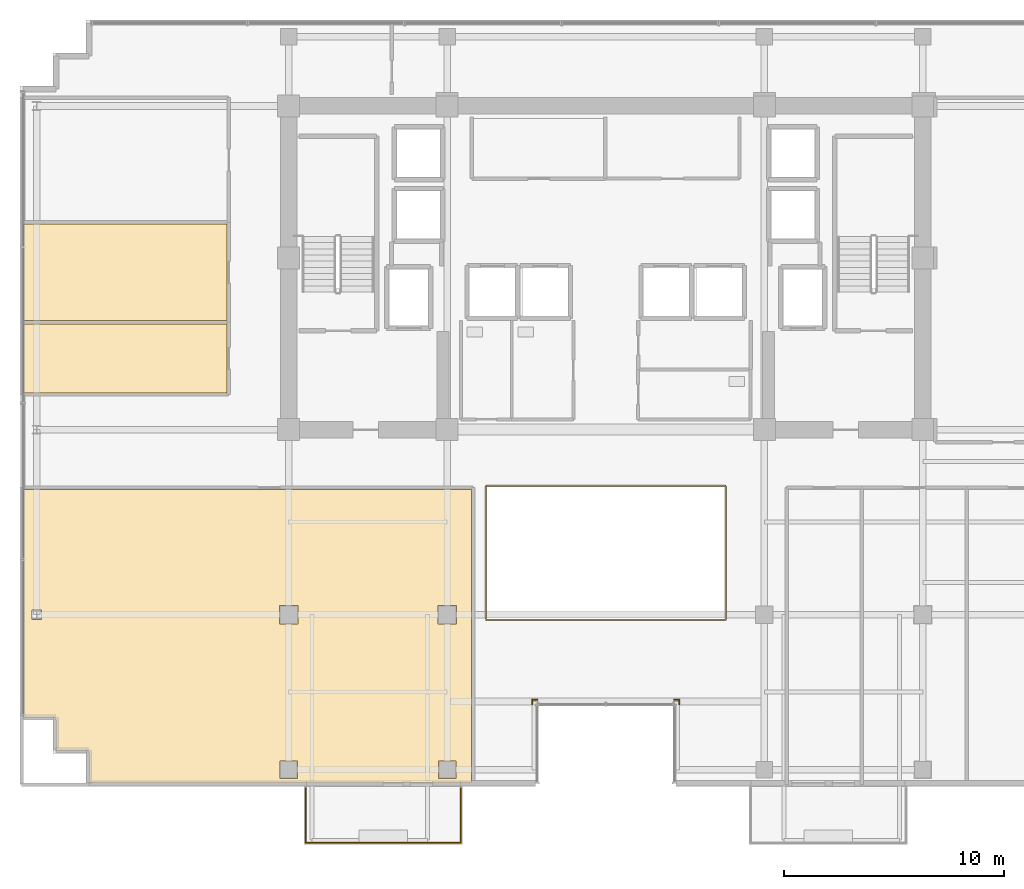
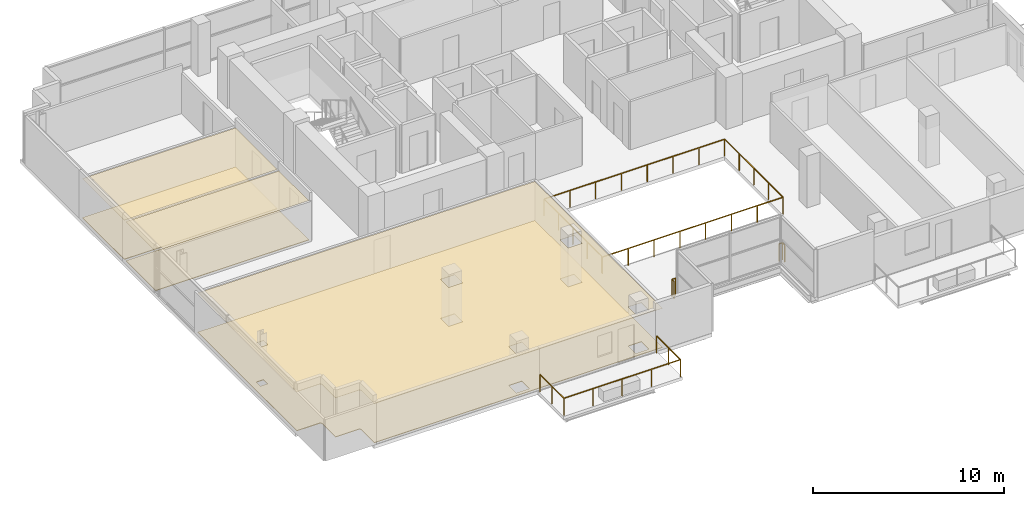
# One storey, part 22 of 25: 6 coverings, 6 railings.
"""IFC4 building model written with IfcOpenShell, lengths in metres."""

from ifc_helpers import new_model, si_unit, direction, frame, origin, origin_2d, place, context, subcontext, project, spatial, polyline, rectangle, outline, extrude, material, layer, layer_set, type_object, element, save


model = new_model("IFC4")

# Units and contexts
model_context = context("Model", 3, precision=1e-05, world=origin(), true_north=direction((0.0, 1.0)))
body_context = subcontext(model_context, "Body", "Model", "MODEL_VIEW")
ifc_project = project(units=[si_unit("LENGTHUNIT", "METRE"), si_unit("AREAUNIT", "SQUARE_METRE"), si_unit("VOLUMEUNIT", "CUBIC_METRE"), si_unit("PLANEANGLEUNIT", "RADIAN"), si_unit("MASSUNIT", "GRAM", prefix="KILO")], contexts=[model_context])

# Site, building, storey
site_placement = place(None, origin())
site = spatial("IfcSite", under=ifc_project, at=site_placement, CompositionType="ELEMENT")
building_placement = place(site_placement, origin())
building = spatial("IfcBuilding", under=site, at=building_placement, Name="Zarnakvel Exchange Tower", CompositionType="ELEMENT")
storey_placement = place(building_placement, frame((0.0, 0.0, 156.10009765625)))
storey = spatial("IfcBuildingStorey", under=building, at=storey_placement, Name="L43", CompositionType="ELEMENT", Elevation=156.10009765625)

# Coverings
ifc_material_1 = material(Name="Perforated Bronze Acoustic Metal Ceiling", Category="aluminium")
ifc_layer_1 = layer(ifc_material_1, 0.02001953125)
ifc_layer_set_1 = layer_set([ifc_layer_1], Name="Perforated Bronze Acoustic Metal Ceiling")
covering_type_1 = type_object("IfcCoveringType", Name="CLG-01", PredefinedType="CEILING", material=ifc_layer_set_1)
covering_1_placement = place(storey_placement, frame((0.0, 0.0, 2.5048828125)))
element("IfcCovering", 1, at=covering_1_placement, inside=storey, type_object=covering_type_1, Name="L43 Suspended Acoustic Ceiling (Institutional Dealing Room)", PredefinedType="CEILING", context=body_context, shape_type="SweptSolid", body=[
    extrude(outline(polyline([(-6.10009765625, -3.909912109375), (-6.10009765625, -17.25), (-23.47998046875, -17.25), (-23.47998046875, -15.89990234375), (-23.48046875, -15.88818359375), (-23.482421875, -15.876708984375), (-23.485107421875, -15.865234375), (-23.489013671875, -15.85400390625), (-23.494140625, -15.843505859375), (-23.500244140625, -15.833251953125), (-23.50732421875, -15.823974609375), (-23.51513671875, -15.815185546875), (-23.52392578125, -15.80712890625), (-23.533447265625, -15.80029296875), (-23.54345703125, -15.794189453125), (-23.55419921875, -15.7890625), (-23.565185546875, -15.78515625), (-23.57666015625, -15.7822265625), (-23.588134765625, -15.780517578125), (-23.60009765625, -15.780029296875), (-24.97998046875, -15.780029296875), (-24.97998046875, -14.39990234375), (-24.98046875, -14.38818359375), (-24.982421875, -14.376708984375), (-24.985107421875, -14.365234375), (-24.989013671875, -14.35400390625), (-24.994140625, -14.343505859375), (-25.000244140625, -14.333251953125), (-25.00732421875, -14.323974609375), (-25.01513671875, -14.315185546875), (-25.02392578125, -14.30712890625), (-25.033447265625, -14.30029296875), (-25.04345703125, -14.294189453125), (-25.05419921875, -14.2890625), (-25.065185546875, -14.28515625), (-25.07666015625, -14.2822265625), (-25.088134765625, -14.280517578125), (-25.10009765625, -14.280029296875), (-26.449951171875, -14.280029296875), (-26.449951171875, -3.909912109375), (-6.10009765625, -3.909912109375)]), holes=[polyline([(-6.780029296875, -10.02001953125), (-6.780029296875, -9.179931640625), (-7.6201171875, -9.179931640625), (-7.6201171875, -10.02001953125), (-6.780029296875, -10.02001953125)]), polyline([(-6.804931640625, -17.044921875), (-6.804931640625, -16.2548828125), (-7.594970703125, -16.2548828125), (-7.594970703125, -17.044921875), (-6.804931640625, -17.044921875)]), polyline([(-13.97998046875, -10.02001953125), (-13.97998046875, -9.179931640625), (-14.820068359375, -9.179931640625), (-14.820068359375, -10.02001953125), (-13.97998046875, -10.02001953125)]), polyline([(-14.0048828125, -16.2548828125), (-14.794921875, -16.2548828125), (-14.794921875, -17.044921875), (-14.0048828125, -17.044921875), (-14.0048828125, -16.2548828125)]), polyline([(-25.630615234375, -9.81689453125), (-25.630615234375, -9.38330078125), (-26.069580078125, -9.38330078125), (-26.069580078125, -9.81689453125), (-25.630615234375, -9.81689453125)])]), origin(), (0.0, 0.0, 1.0), 0.02001953125),
])
covering_2_placement = place(storey_placement, frame((0.0, 0.0, 2.5048828125)))
element("IfcCovering", 2, at=covering_2_placement, inside=storey, type_object=covering_type_1, Name="L43 Suspended Acoustic Ceiling (Breakout Pantry)", PredefinedType="CEILING", context=body_context, shape_type="SweptSolid", body=[
    extrude(outline(polyline([(-26.449951171875, 3.598388671875), (-17.2099609375, 3.598388671875), (-17.2099609375, 0.47119140625), (-26.449951171875, 0.47119140625), (-26.449951171875, 3.598388671875)])), origin(), (0.0, 0.0, 1.0), 0.02001953125),
])
covering_3_placement = place(storey_placement, frame((0.0, 0.0, 2.5048828125)))
element("IfcCovering", 3, at=covering_3_placement, inside=storey, type_object=covering_type_1, Name="L43 Suspended Acoustic Ceiling (Settlement Office)", PredefinedType="CEILING", context=body_context, shape_type="SweptSolid", body=[
    extrude(outline(polyline([(-26.449951171875, 8.13623046875), (-17.2099609375, 8.13623046875), (-17.2099609375, 3.75830078125), (-26.449951171875, 3.75830078125), (-26.449951171875, 8.13623046875)])), origin(), (0.0, 0.0, 1.0), 0.02001953125),
])
ifc_material_2 = material(Name="Heavy-Duty Raised Access Floor Panel", Category="steel")
ifc_layer_2 = layer(ifc_material_2, 0.034912109375)
ifc_layer_set_2 = layer_set([ifc_layer_2], Name="Heavy-Duty Raised Access Floor Panel")
covering_type_2 = type_object("IfcCoveringType", Name="FLR-02", PredefinedType="FLOORING", material=ifc_layer_set_2)
covering_4_placement = place(storey_placement, origin())
element("IfcCovering", 4, at=covering_4_placement, inside=storey, type_object=covering_type_2, Name="L43 Floor Finish (Institutional Dealing Room)", PredefinedType="FLOORING", context=body_context, shape_type="SweptSolid", body=[
    extrude(outline(polyline([(-6.10009765625, -3.909912109375), (-6.10009765625, -17.25), (-23.47998046875, -17.25), (-23.47998046875, -15.89990234375), (-23.48046875, -15.88818359375), (-23.482421875, -15.876708984375), (-23.485107421875, -15.865234375), (-23.489013671875, -15.85400390625), (-23.494140625, -15.843505859375), (-23.500244140625, -15.833251953125), (-23.50732421875, -15.823974609375), (-23.51513671875, -15.815185546875), (-23.52392578125, -15.80712890625), (-23.533447265625, -15.80029296875), (-23.54345703125, -15.794189453125), (-23.55419921875, -15.7890625), (-23.565185546875, -15.78515625), (-23.57666015625, -15.7822265625), (-23.588134765625, -15.780517578125), (-23.60009765625, -15.780029296875), (-24.97998046875, -15.780029296875), (-24.97998046875, -14.39990234375), (-24.98046875, -14.38818359375), (-24.982421875, -14.376708984375), (-24.985107421875, -14.365234375), (-24.989013671875, -14.35400390625), (-24.994140625, -14.343505859375), (-25.000244140625, -14.333251953125), (-25.00732421875, -14.323974609375), (-25.01513671875, -14.315185546875), (-25.02392578125, -14.30712890625), (-25.033447265625, -14.30029296875), (-25.04345703125, -14.294189453125), (-25.05419921875, -14.2890625), (-25.065185546875, -14.28515625), (-25.07666015625, -14.2822265625), (-25.088134765625, -14.280517578125), (-25.10009765625, -14.280029296875), (-26.449951171875, -14.280029296875), (-26.449951171875, -3.909912109375), (-6.10009765625, -3.909912109375)]), holes=[polyline([(-6.780029296875, -10.02001953125), (-6.780029296875, -9.179931640625), (-7.6201171875, -9.179931640625), (-7.6201171875, -10.02001953125), (-6.780029296875, -10.02001953125)]), polyline([(-6.804931640625, -17.044921875), (-6.804931640625, -16.2548828125), (-7.594970703125, -16.2548828125), (-7.594970703125, -17.044921875), (-6.804931640625, -17.044921875)]), polyline([(-13.97998046875, -10.02001953125), (-13.97998046875, -9.179931640625), (-14.820068359375, -9.179931640625), (-14.820068359375, -10.02001953125), (-13.97998046875, -10.02001953125)]), polyline([(-14.0048828125, -16.2548828125), (-14.794921875, -16.2548828125), (-14.794921875, -17.044921875), (-14.0048828125, -17.044921875), (-14.0048828125, -16.2548828125)]), polyline([(-25.630615234375, -9.81689453125), (-25.630615234375, -9.38330078125), (-26.069580078125, -9.38330078125), (-26.069580078125, -9.81689453125), (-25.630615234375, -9.81689453125)])]), origin(), (0.0, 0.0, 1.0), 0.034912109375),
])
covering_5_placement = place(storey_placement, origin())
element("IfcCovering", 5, at=covering_5_placement, inside=storey, type_object=covering_type_2, Name="L43 Floor Finish (Breakout Pantry)", PredefinedType="FLOORING", context=body_context, shape_type="SweptSolid", body=[
    extrude(outline(polyline([(-26.449951171875, 3.598388671875), (-17.2099609375, 3.598388671875), (-17.2099609375, 0.47119140625), (-26.449951171875, 0.47119140625), (-26.449951171875, 3.598388671875)])), origin(), (0.0, 0.0, 1.0), 0.034912109375),
])
covering_6_placement = place(storey_placement, origin())
element("IfcCovering", 6, at=covering_6_placement, inside=storey, type_object=covering_type_2, Name="L43 Floor Finish (Settlement Office)", PredefinedType="FLOORING", context=body_context, shape_type="SweptSolid", body=[
    extrude(outline(polyline([(-26.449951171875, 8.13623046875), (-17.2099609375, 8.13623046875), (-17.2099609375, 3.75830078125), (-26.449951171875, 3.75830078125), (-26.449951171875, 8.13623046875)])), origin(), (0.0, 0.0, 1.0), 0.034912109375),
])

# Railings
ifc_material_3 = material(Name="Architectural Bronze Anodised Aluminium", Category="aluminium")
railing_type_1 = type_object("IfcRailingType", Name="GR-02", PredefinedType="GUARDRAIL", material=ifc_material_3)
railing_1_placement = place(storey_placement, frame((-13.6201171875, -17.47998046875, -0.03515625)))
element("IfcRailing", 7, at=railing_1_placement, inside=storey, type_object=railing_type_1, Name="L43 Balcony Guardrail BAL-L43-SW", PredefinedType="GUARDRAIL", context=body_context, shape_type="SweptSolid", body=[
    extrude(rectangle(XDim=0.048095703125, YDim=0.048095703125, at=origin_2d()), frame((0.0, 0.0, 1.09619140625), z_axis=(0.0, -1.0, 0.0), x_axis=(1.0, 0.0, 0.0)), (0.0, 0.0, 1.0), 2.489990234375),
    extrude(rectangle(XDim=0.048095703125, YDim=0.048095703125, at=origin_2d()), frame((0.0, -2.489990234375, 1.09619140625), z_axis=(1.0, 0.0, 0.0), x_axis=(0.0, 1.0, 0.0)), (0.0, 0.0, 1.0), 7.0400390625),
    extrude(rectangle(XDim=0.048095703125, YDim=0.048095703125, at=origin_2d()), frame((7.0400390625, -2.489990234375, 1.09619140625), z_axis=(0.0, 1.0, 0.0), x_axis=(-1.0, 0.0, 0.0)), (0.0, 0.0, 1.0), 2.489990234375),
    extrude(rectangle(XDim=0.0419921875, YDim=0.0419921875, at=origin_2d()), origin(), (0.0, 0.0, 1.0), 1.072021484375),
    extrude(rectangle(XDim=0.0419921875, YDim=0.0419921875, at=origin_2d()), frame((0.0, -1.2451171875, 0.0)), (0.0, 0.0, 1.0), 1.072021484375),
    extrude(rectangle(XDim=0.0419921875, YDim=0.0419921875, at=origin_2d()), frame((0.0, -2.489990234375, 0.0)), (0.0, 0.0, 1.0), 1.072021484375),
    extrude(rectangle(XDim=0.0419921875, YDim=0.0419921875, at=origin_2d()), frame((1.760009765625, -2.489990234375, 0.0)), (0.0, 0.0, 1.0), 1.072021484375),
    extrude(rectangle(XDim=0.0419921875, YDim=0.0419921875, at=origin_2d()), frame((3.52001953125, -2.489990234375, 0.0)), (0.0, 0.0, 1.0), 1.072021484375),
    extrude(rectangle(XDim=0.0419921875, YDim=0.0419921875, at=origin_2d()), frame((5.280029296875, -2.489990234375, 0.0)), (0.0, 0.0, 1.0), 1.072021484375),
    extrude(rectangle(XDim=0.0419921875, YDim=0.0419921875, at=origin_2d()), frame((7.0400390625, -2.489990234375, 0.0)), (0.0, 0.0, 1.0), 1.072021484375),
    extrude(rectangle(XDim=0.0419921875, YDim=0.0419921875, at=origin_2d()), frame((7.0400390625, -1.2451171875, 0.0)), (0.0, 0.0, 1.0), 1.072021484375),
    extrude(rectangle(XDim=0.0419921875, YDim=0.0419921875, at=origin_2d()), frame((7.0400390625, 0.0, 0.0)), (0.0, 0.0, 1.0), 1.072021484375),
])
railing_2_placement = place(storey_placement, frame((3.340087890625, -13.679931640625, 0.0)))
element("IfcRailing", 8, at=railing_2_placement, inside=storey, type_object=railing_type_1, Name="L43 Corner Spandrel Balustrade #17", PredefinedType="GUARDRAIL", context=body_context, shape_type="SweptSolid", body=[
    extrude(rectangle(XDim=0.048095703125, YDim=0.048095703125, at=origin_2d()), frame((0.0, 0.0, 1.09619140625), z_axis=(0.0, 1.0, 0.0), x_axis=(-1.0, 0.0, 0.0)), (0.0, 0.0, 1.0), 0.219970703125),
    extrude(rectangle(XDim=0.0419921875, YDim=0.0419921875, at=origin_2d()), origin(), (0.0, 0.0, 1.0), 1.072021484375),
    extrude(rectangle(XDim=0.0419921875, YDim=0.0419921875, at=origin_2d()), frame((0.0, 0.219970703125, 0.0)), (0.0, 0.0, 1.0), 1.072021484375),
])
for number, where, name in (
    (9, (3.340087890625, -13.4599609375, 0.0), "L43 Corner Spandrel Balustrade #18"),
    (10, (-3.1201171875, -13.4599609375, 0.0), "L43 Corner Spandrel Balustrade #19"),
):
    element("IfcRailing", number, at=place(storey_placement, frame(where)), inside=storey, type_object=railing_type_1, Name=name, PredefinedType="GUARDRAIL", context=body_context, shape_type="SweptSolid", body=[
        extrude(rectangle(XDim=0.048095703125, YDim=0.048095703125, at=origin_2d()), frame((0.0, 0.0, 1.09619140625), z_axis=(-1.0, 0.0, 0.0), x_axis=(0.0, -1.0, 0.0)), (0.0, 0.0, 1.0), 0.219970703125),
        extrude(rectangle(XDim=0.0419921875, YDim=0.0419921875, at=origin_2d()), origin(), (0.0, 0.0, 1.0), 1.072021484375),
        extrude(rectangle(XDim=0.0419921875, YDim=0.0419921875, at=origin_2d()), frame((-0.219970703125, 0.0, 0.0)), (0.0, 0.0, 1.0), 1.072021484375),
    ])
railing_3_placement = place(storey_placement, frame((-3.340087890625, -13.4599609375, 0.0)))
element("IfcRailing", 11, at=railing_3_placement, inside=storey, type_object=railing_type_1, Name="L43 Corner Spandrel Balustrade #20", PredefinedType="GUARDRAIL", context=body_context, shape_type="SweptSolid", body=[
    extrude(rectangle(XDim=0.048095703125, YDim=0.048095703125, at=origin_2d()), frame((0.0, 0.0, 1.09619140625), z_axis=(0.0, -1.0, 0.0), x_axis=(1.0, 0.0, 0.0)), (0.0, 0.0, 1.0), 0.219970703125),
    extrude(rectangle(XDim=0.0419921875, YDim=0.0419921875, at=origin_2d()), origin(), (0.0, 0.0, 1.0), 1.072021484375),
    extrude(rectangle(XDim=0.0419921875, YDim=0.0419921875, at=origin_2d()), frame((0.0, -0.219970703125, 0.0)), (0.0, 0.0, 1.0), 1.072021484375),
])
railing_type_2 = type_object("IfcRailingType", Name="GR-03", PredefinedType="GUARDRAIL", material=ifc_material_3)
railing_4_placement = place(storey_placement, frame((-5.449951171875, -9.85009765625, 0.0)))
element("IfcRailing", 12, at=railing_4_placement, inside=storey, type_object=railing_type_2, Name="L43 Atrium Void Perimeter Balustrade", PredefinedType="GUARDRAIL", context=body_context, shape_type="SweptSolid", body=[
    extrude(rectangle(XDim=0.048095703125, YDim=0.048095703125, at=origin_2d()), frame((0.0, 0.0, 1.076171875), z_axis=(1.0, 0.0, 0.0), x_axis=(0.0, 1.0, 0.0)), (0.0, 0.0, 1.0), 10.89990234375),
    extrude(rectangle(XDim=0.048095703125, YDim=0.048095703125, at=origin_2d()), frame((10.89990234375, 0.0, 1.076171875), z_axis=(0.0, 1.0, 0.0), x_axis=(-1.0, 0.0, 0.0)), (0.0, 0.0, 1.0), 6.10009765625),
    extrude(rectangle(XDim=0.048095703125, YDim=0.048095703125, at=origin_2d()), frame((10.89990234375, 6.10009765625, 1.076171875), z_axis=(-1.0, 0.0, 0.0), x_axis=(0.0, -1.0, 0.0)), (0.0, 0.0, 1.0), 10.89990234375),
    extrude(rectangle(XDim=0.048095703125, YDim=0.048095703125, at=origin_2d()), frame((0.0, 6.10009765625, 1.076171875), z_axis=(0.0, -1.0, 0.0), x_axis=(1.0, 0.0, 0.0)), (0.0, 0.0, 1.0), 6.02001953125),
    extrude(rectangle(XDim=0.0419921875, YDim=0.0419921875, at=origin_2d()), origin(), (0.0, 0.0, 1.0), 1.052001953125),
    extrude(rectangle(XDim=0.0419921875, YDim=0.0419921875, at=origin_2d()), frame((1.55712890625, 0.0, 0.0)), (0.0, 0.0, 1.0), 1.052001953125),
    extrude(rectangle(XDim=0.0419921875, YDim=0.0419921875, at=origin_2d()), frame((3.1142578125, 0.0, 0.0)), (0.0, 0.0, 1.0), 1.052001953125),
    extrude(rectangle(XDim=0.0419921875, YDim=0.0419921875, at=origin_2d()), frame((4.67138671875, 0.0, 0.0)), (0.0, 0.0, 1.0), 1.052001953125),
    extrude(rectangle(XDim=0.0419921875, YDim=0.0419921875, at=origin_2d()), frame((6.228515625, 0.0, 0.0)), (0.0, 0.0, 1.0), 1.052001953125),
    extrude(rectangle(XDim=0.0419921875, YDim=0.0419921875, at=origin_2d()), frame((7.78564453125, 0.0, 0.0)), (0.0, 0.0, 1.0), 1.052001953125),
    extrude(rectangle(XDim=0.0419921875, YDim=0.0419921875, at=origin_2d()), frame((9.3427734375, 0.0, 0.0)), (0.0, 0.0, 1.0), 1.052001953125),
    extrude(rectangle(XDim=0.0419921875, YDim=0.0419921875, at=origin_2d()), frame((10.89990234375, 0.0, 0.0)), (0.0, 0.0, 1.0), 1.052001953125),
    extrude(rectangle(XDim=0.0419921875, YDim=0.0419921875, at=origin_2d()), frame((10.89990234375, 1.52490234375, 0.0)), (0.0, 0.0, 1.0), 1.052001953125),
    extrude(rectangle(XDim=0.0419921875, YDim=0.0419921875, at=origin_2d()), frame((10.89990234375, 3.050048828125, 0.0)), (0.0, 0.0, 1.0), 1.052001953125),
    extrude(rectangle(XDim=0.0419921875, YDim=0.0419921875, at=origin_2d()), frame((10.89990234375, 4.5751953125, 0.0)), (0.0, 0.0, 1.0), 1.052001953125),
    extrude(rectangle(XDim=0.0419921875, YDim=0.0419921875, at=origin_2d()), frame((10.89990234375, 6.10009765625, 0.0)), (0.0, 0.0, 1.0), 1.052001953125),
    extrude(rectangle(XDim=0.0419921875, YDim=0.0419921875, at=origin_2d()), frame((9.3427734375, 6.10009765625, 0.0)), (0.0, 0.0, 1.0), 1.052001953125),
    extrude(rectangle(XDim=0.0419921875, YDim=0.0419921875, at=origin_2d()), frame((7.78564453125, 6.10009765625, 0.0)), (0.0, 0.0, 1.0), 1.052001953125),
    extrude(rectangle(XDim=0.0419921875, YDim=0.0419921875, at=origin_2d()), frame((6.228515625, 6.10009765625, 0.0)), (0.0, 0.0, 1.0), 1.052001953125),
    extrude(rectangle(XDim=0.0419921875, YDim=0.0419921875, at=origin_2d()), frame((4.67138671875, 6.10009765625, 0.0)), (0.0, 0.0, 1.0), 1.052001953125),
    extrude(rectangle(XDim=0.0419921875, YDim=0.0419921875, at=origin_2d()), frame((3.1142578125, 6.10009765625, 0.0)), (0.0, 0.0, 1.0), 1.052001953125),
    extrude(rectangle(XDim=0.0419921875, YDim=0.0419921875, at=origin_2d()), frame((1.55712890625, 6.10009765625, 0.0)), (0.0, 0.0, 1.0), 1.052001953125),
    extrude(rectangle(XDim=0.0419921875, YDim=0.0419921875, at=origin_2d()), frame((0.0, 6.10009765625, 0.0)), (0.0, 0.0, 1.0), 1.052001953125),
    extrude(rectangle(XDim=0.0419921875, YDim=0.0419921875, at=origin_2d()), frame((0.0, 4.59521484375, 0.0)), (0.0, 0.0, 1.0), 1.052001953125),
    extrude(rectangle(XDim=0.0419921875, YDim=0.0419921875, at=origin_2d()), frame((0.0, 3.090087890625, 0.0)), (0.0, 0.0, 1.0), 1.052001953125),
    extrude(rectangle(XDim=0.0419921875, YDim=0.0419921875, at=origin_2d()), frame((0.0, 1.5849609375, 0.0)), (0.0, 0.0, 1.0), 1.052001953125),
    extrude(rectangle(XDim=0.0419921875, YDim=0.0419921875, at=origin_2d()), frame((0.0, 0.080078125, 0.0)), (0.0, 0.0, 1.0), 1.052001953125),
])

save(model, "model.ifc")
